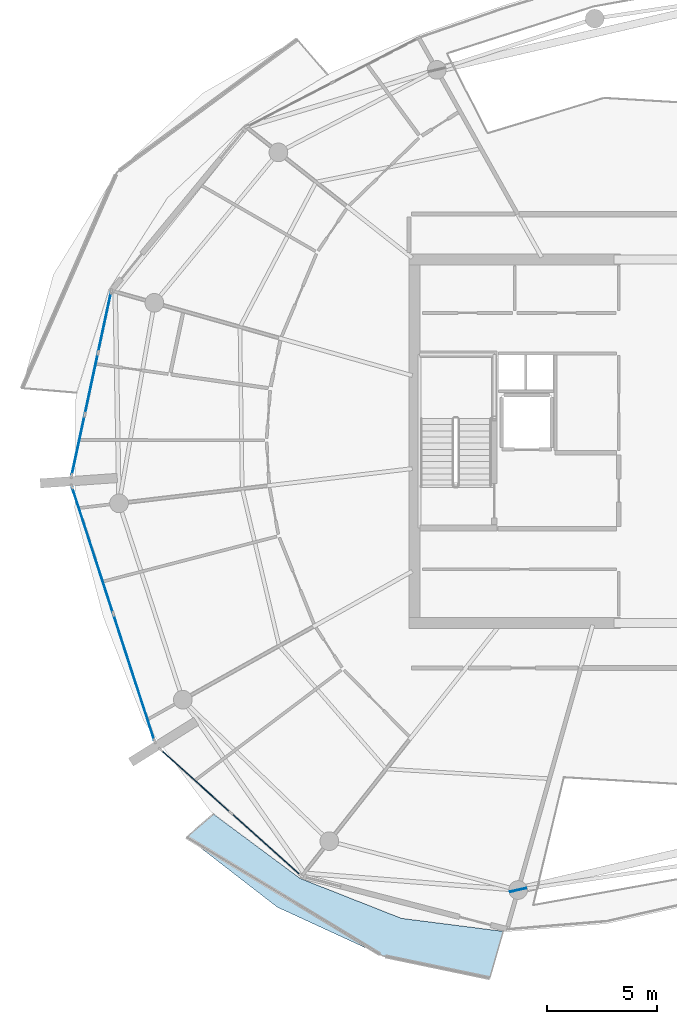
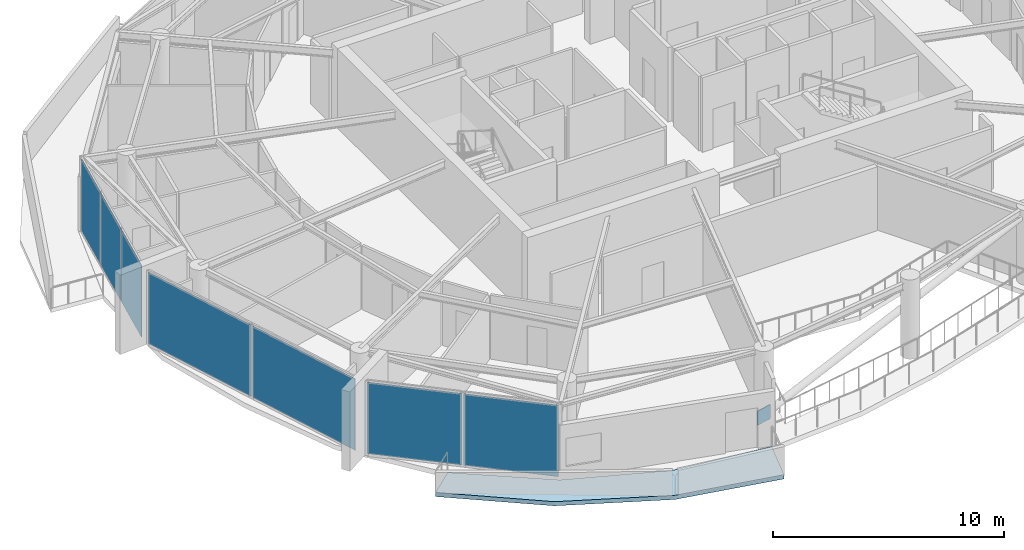
# One storey, part 9 of 22: 8 plates, 1 slab, 3 elements without a shape of their own.
"""IFC4 building model written with IfcOpenShell, lengths in metres."""

from ifc_helpers import new_model, si_unit, direction, frame, origin, origin_2d, place, context, subcontext, project, spatial, polyline, rectangle, outline, extrude, material, layer, layer_set, type_object, element, aggregate, save


model = new_model("IFC4")

# Units and contexts
model_context = context("Model", 3, precision=1e-05, world=origin(), true_north=direction((0.0, 1.0)))
body_context = subcontext(model_context, "Body", "Model", "MODEL_VIEW")
ifc_project = project(units=[si_unit("LENGTHUNIT", "METRE"), si_unit("AREAUNIT", "SQUARE_METRE"), si_unit("VOLUMEUNIT", "CUBIC_METRE"), si_unit("PLANEANGLEUNIT", "RADIAN"), si_unit("MASSUNIT", "GRAM", prefix="KILO")], contexts=[model_context])

# Site, building, storey
site_placement = place(None, origin())
site = spatial("IfcSite", under=ifc_project, at=site_placement, CompositionType="ELEMENT")
building_placement = place(site_placement, origin())
building = spatial("IfcBuilding", under=site, at=building_placement, Name="Kazma Halo Residences", CompositionType="ELEMENT")
storey_placement = place(building_placement, frame((0.0, 0.0, 326.300048828125)))
storey = spatial("IfcBuildingStorey", under=building, at=storey_placement, Name="L82", CompositionType="ELEMENT", Elevation=326.300048828125)

# Curtain wall, plates
ifc_material_1 = material(Name="Aluminium AW-6063 T6 and Triple-Silver Low-E Glass", Category="aluminium")
ifc_layer_1 = layer(ifc_material_1, 0.239990234375)
ifc_layer_set_1 = layer_set([ifc_layer_1], Name="Aluminium AW-6063 T6 and Triple-Silver Low-E Glass")
curtain_wall_type = type_object("IfcCurtainWallType", Name="CW-SYS-6", PredefinedType="NOTDEFINED", material=ifc_layer_set_1)
curtain_wall_1_placement = place(storey_placement, origin())
curtain_wall_1 = element("IfcCurtainWall", 1, at=curtain_wall_1_placement, inside=storey, type_object=curtain_wall_type, Name="L82 unitised curtain wall B07", PredefinedType="NOTDEFINED")
ifc_material_2 = material(Name="Clear Triple-Silver Low-E Glass IGU", Category="glass")
ifc_layer_2 = layer(ifc_material_2, 0.035888671875)
ifc_layer_set_2 = layer_set([ifc_layer_2], Name="Clear Triple-Silver Low-E Glass IGU")
plate_type_1 = type_object("IfcPlateType", Name="CW-SYS-6-PNL", PredefinedType="CURTAIN_PANEL", material=ifc_layer_set_2)
plate_1_placement = place(storey_placement, frame((23.486572265625, 47.40087890625, 0.080078125), z_axis=(0.0, 0.0, 1.0), x_axis=(-0.209722888986, -0.977760865363, 0.0)))
plate_1 = element("IfcPlate", 2, at=plate_1_placement, type_object=plate_type_1, Name="CWS-6 panel 1.1", PredefinedType="CURTAIN_PANEL", context=body_context, shape_type="SweptSolid", body=[
    extrude(rectangle(XDim=2.7578125, YDim=0.035888671875, at=origin_2d()), origin(), (0.0, 0.0, 1.0), 3.780029296875),
])
plate_2_placement = place(storey_placement, frame((22.88720703125, 44.6064453125, 0.080078125), z_axis=(0.0, 0.0, 1.0), x_axis=(-0.209722888986, -0.977760865363, 0.0)))
plate_2 = element("IfcPlate", 3, at=plate_2_placement, type_object=plate_type_1, Name="CWS-6 panel 2.1", PredefinedType="CURTAIN_PANEL", context=body_context, shape_type="SweptSolid", body=[
    extrude(rectangle(XDim=2.7978515625, YDim=0.035888671875, at=origin_2d()), origin(), (0.0, 0.0, 1.0), 3.780029296875),
])
plate_3_placement = place(storey_placement, frame((22.287841796875, 41.812255859375, 0.080078125), z_axis=(0.0, 0.0, 1.0), x_axis=(-0.209722888986, -0.977760865363, 0.0)))
plate_3 = element("IfcPlate", 4, at=plate_3_placement, type_object=plate_type_1, Name="CWS-6 panel 3.1", PredefinedType="CURTAIN_PANEL", context=body_context, shape_type="SweptSolid", body=[
    extrude(rectangle(XDim=2.7578125, YDim=0.035888671875, at=origin_2d()), origin(), (0.0, 0.0, 1.0), 3.780029296875),
])
aggregate(curtain_wall_1, [plate_1, plate_2, plate_3])

curtain_wall_2_placement = place(storey_placement, origin())
curtain_wall_2 = element("IfcCurtainWall", 5, at=curtain_wall_2_placement, inside=storey, type_object=curtain_wall_type, Name="L82 unitised curtain wall B08", PredefinedType="NOTDEFINED")
plate_4_placement = place(storey_placement, frame((22.939208984375, 37.0498046875, 0.080078125), z_axis=(0.0, 0.0, 1.0), x_axis=(0.309018932797, -0.951055886462, 0.0)))
plate_4 = element("IfcPlate", 6, at=plate_4_placement, type_object=plate_type_1, Name="CWS-6 panel 1.1", PredefinedType="CURTAIN_PANEL", context=body_context, shape_type="SweptSolid", body=[
    extrude(rectangle(XDim=5.99267578125, YDim=0.035888671875, at=origin_2d()), origin(), (0.0, 0.0, 1.0), 3.780029296875),
])
plate_5_placement = place(storey_placement, frame((24.81591796875, 31.2744140625, 0.080078125), z_axis=(0.0, 0.0, 1.0), x_axis=(0.309018932797, -0.951055886462, 0.0)))
plate_5 = element("IfcPlate", 7, at=plate_5_placement, type_object=plate_type_1, Name="CWS-6 panel 2.1", PredefinedType="CURTAIN_PANEL", context=body_context, shape_type="SweptSolid", body=[
    extrude(rectangle(XDim=5.99267578125, YDim=0.035888671875, at=origin_2d()), origin(), (0.0, 0.0, 1.0), 3.780029296875),
])
aggregate(curtain_wall_2, [plate_4, plate_5])

curtain_wall_3_placement = place(storey_placement, origin())
curtain_wall_3 = element("IfcCurtainWall", 8, at=curtain_wall_3_placement, inside=storey, type_object=curtain_wall_type, Name="L82 unitised curtain wall B09", PredefinedType="NOTDEFINED")
plate_6_placement = place(storey_placement, frame((27.62353515625, 26.55810546875, 0.080078125), z_axis=(0.0, 0.0, 1.0), x_axis=(0.744378829791, -0.667757559118, 0.0)))
plate_6 = element("IfcPlate", 9, at=plate_6_placement, type_object=plate_type_1, Name="CWS-6 panel 1.1", PredefinedType="CURTAIN_PANEL", context=body_context, shape_type="SweptSolid", body=[
    extrude(rectangle(XDim=4.19677734375, YDim=0.035888671875, at=origin_2d()), origin(), (0.0, 0.0, 1.0), 3.780029296875),
])
plate_7_placement = place(storey_placement, frame((30.80712890625, 23.702392578125, 0.080078125), z_axis=(0.0, 0.0, 1.0), x_axis=(0.744378829791, -0.667757559118, 0.0)))
plate_7 = element("IfcPlate", 10, at=plate_7_placement, type_object=plate_type_1, Name="CWS-6 panel 2.1", PredefinedType="CURTAIN_PANEL", context=body_context, shape_type="SweptSolid", body=[
    extrude(rectangle(XDim=4.19677734375, YDim=0.035888671875, at=origin_2d()), origin(), (0.0, 0.0, 1.0), 3.780029296875),
])
aggregate(curtain_wall_3, [plate_6, plate_7])

# Plate
ifc_material_3 = material(Name="Steel S355", Category="steel")
ifc_layer_3 = layer(ifc_material_3, 0.0400390625)
ifc_layer_set_3 = layer_set([ifc_layer_3], Name="Steel S355")
plate_type_2 = type_object("IfcPlateType", Name="PLT-GUSSET-40", PredefinedType="SHEET", material=ifc_layer_set_3)
plate_8_placement = place(storey_placement, frame((42.25341796875, 21.62353515625, -0.074951171875), z_axis=(0.0, 0.0, 1.0), x_axis=(0.974083647521, 0.226188080216, 0.0)))
element("IfcPlate", 11, at=plate_8_placement, inside=storey, type_object=plate_type_2, Name="L82 wind-portal lower gusset SSE", PredefinedType="SHEET", context=body_context, shape_type="SweptSolid", body=[
    extrude(rectangle(XDim=0.75, YDim=0.0400390625, at=origin_2d()), origin(), (0.0, 0.0, 1.0), 0.75),
])

# Slab
ifc_material_4 = material(Name="White Concrete C50/60", Category="concrete")
ifc_layer_4 = layer(ifc_material_4, 0.219970703125)
ifc_layer_set_4 = layer_set([ifc_layer_4], Name="White Concrete C50/60")
slab_type = type_object("IfcSlabType", Name="SLB-BAL-WAVE-210", PredefinedType="FLOOR", material=ifc_layer_set_4)
slab_placement = place(storey_placement, frame((0.0, 0.0, -0.219970703125)))
element("IfcSlab", 12, at=slab_placement, inside=storey, type_object=slab_type, Name="L82 SW cantilevered wave balcony slab", PredefinedType="FLOOR", context=body_context, shape_type="SweptSolid", body=[
    extrude(outline(polyline([(28.421630859375, 25.070556640625), (32.35302734375, 22.152099609375), (36.961181640625, 20.335205078125), (41.57666015625, 19.745849609375), (40.965087890625, 17.626953125), (36.09912109375, 18.643310546875), (31.322021484375, 20.843994140625), (27.213134765625, 24.025634765625), (28.421630859375, 25.070556640625)])), origin(), (0.0, 0.0, 1.0), 0.219970703125),
])

save(model, "model.ifc")
